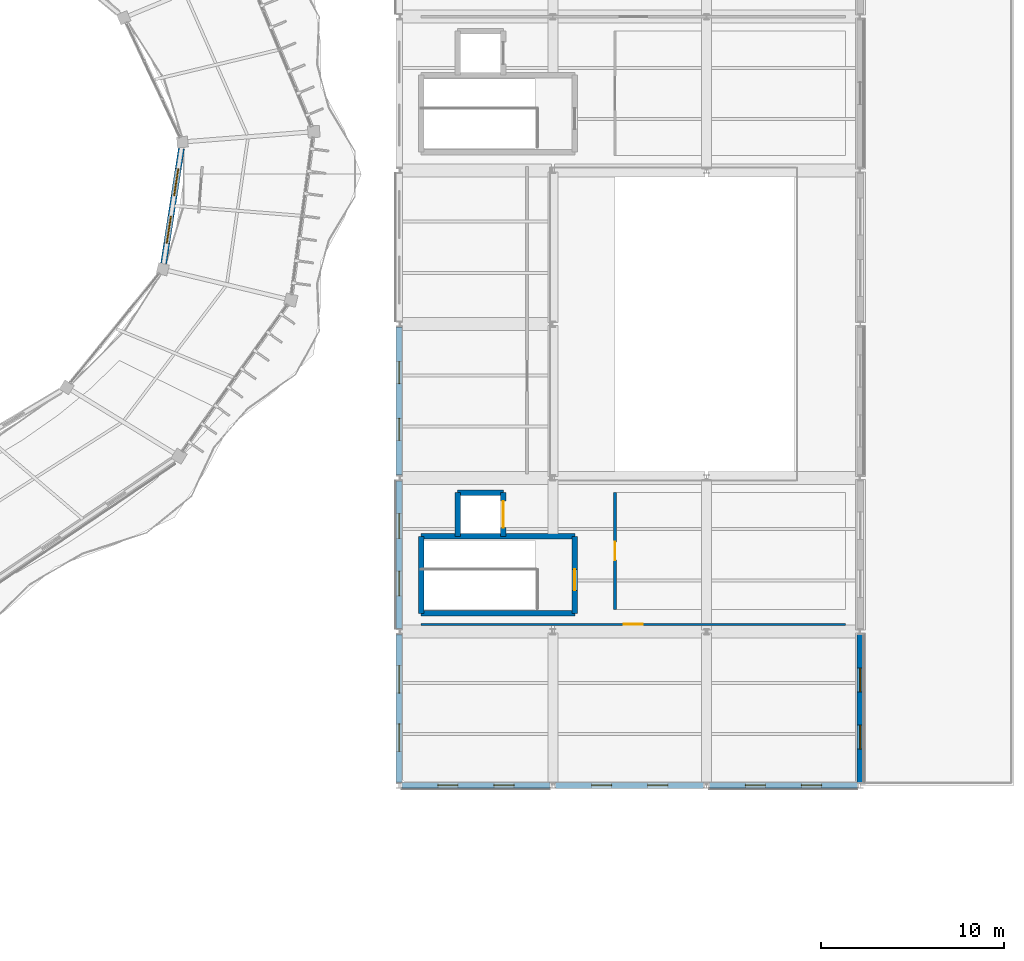
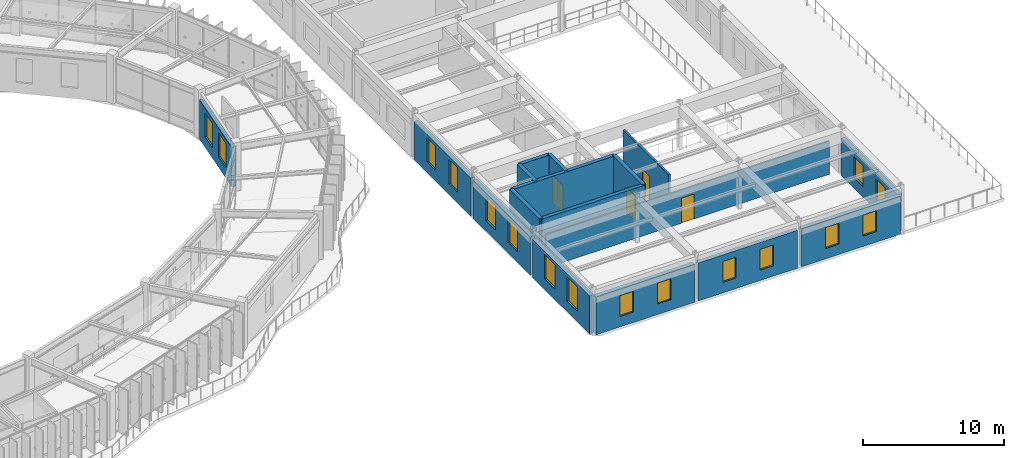
# One storey, part 95 of 114: 17 walls, 16 windows, 4 doors, 20 openings.
"""IFC4 building model written with IfcOpenShell, lengths in metres."""

from ifc_helpers import new_model, si_unit, direction, frame, frame_2d, origin, place, context, subcontext, project, spatial, rectangle, extrude, material, layer, layer_set, type_object, element, fill, save


model = new_model("IFC4")

# Units and contexts
model_context = context("Model", 3, precision=1e-05, world=origin(), true_north=direction((0.0, 1.0)))
body_context = subcontext(model_context, "Body", "Model", "MODEL_VIEW")
ifc_project = project(units=[si_unit("LENGTHUNIT", "METRE"), si_unit("AREAUNIT", "SQUARE_METRE"), si_unit("VOLUMEUNIT", "CUBIC_METRE"), si_unit("PLANEANGLEUNIT", "RADIAN"), si_unit("MASSUNIT", "GRAM", prefix="KILO"), si_unit("THERMODYNAMICTEMPERATUREUNIT", "KELVIN"), si_unit("POWERUNIT", "WATT")], contexts=[model_context])

# Site, building, storey
site_placement = place(None, origin())
site = spatial("IfcSite", under=ifc_project, at=site_placement, CompositionType="ELEMENT")
building_placement = place(site_placement, origin())
building = spatial("IfcBuilding", under=site, at=building_placement, Name="Darbajah Civic Hall", CompositionType="ELEMENT")
storey_placement = place(building_placement, frame((0.0, 0.0, 13.800048828125)))
storey = spatial("IfcBuildingStorey", under=building, at=storey_placement, Name="L03", CompositionType="ELEMENT", Elevation=13.800048828125)

# Wall
ifc_material_1 = material(Name="Concrete C45/55", Category="concrete")
ifc_layer_1 = layer(ifc_material_1, 0.300048828125, Name="Concrete C45/55")
ifc_layer_set_1 = layer_set([ifc_layer_1], Name="Concrete C45/55")
wall_type_1 = type_object("IfcWallType", Name="Core Shear Wall 300mm", PredefinedType="SHEAR", material=ifc_layer_set_1)
wall_1_placement = place(storey_placement, frame((145.800048828125, 65.800048828125, 0.0), z_axis=(0.0, 0.0, 1.0), x_axis=(1.0, 0.0, 0.0)))
element("IfcWall", 1, at=wall_1_placement, inside=storey, type_object=wall_type_1, Name="L03 core C09 shear wall S", PredefinedType="SHEAR", context=body_context, shape_type="SweptSolid", body=[
    extrude(rectangle(XDim=8.39990234375, YDim=0.300048828125, at=frame_2d((4.199951171875, 0.0))), origin(), (0.0, 0.0, 1.0), 3.919921875),
])

# Wall, opening, door
wall_2_placement = place(storey_placement, frame((154.199951171875, 65.800048828125, 0.0), z_axis=(0.0, 0.0, 1.0), x_axis=(0.0, 1.0, 0.0)))
wall_2 = element("IfcWall", 2, at=wall_2_placement, inside=storey, type_object=wall_type_1, Name="L03 core C09 shear wall E", PredefinedType="SHEAR", context=body_context, shape_type="SweptSolid", body=[
    extrude(rectangle(XDim=4.199951171875, YDim=0.300048828125, at=frame_2d((2.10009765625, 0.0))), origin(), (0.0, 0.0, 1.0), 3.919921875),
])
opening_1_placement = place(wall_2_placement, frame((1.25, 0.0, 0.0)))
opening_1 = element("IfcOpeningElement", 3, at=opening_1_placement, cuts=wall_2, Name="Opening SD-0102", PredefinedType="OPENING", context=body_context, shape_type="SweptSolid", body=[
    extrude(rectangle(XDim=1.14990234375, YDim=2.199951171875, at=frame_2d((0.574951171875, 1.10009765625))), frame((0.0, 0.159912109375, 0.0), z_axis=(0.0, -1.0, 0.0), x_axis=(1.0, 0.0, 0.0)), (0.0, 0.0, 1.0), 0.320068359375),
])
ifc_material_2 = material(Name="Steel Rated Core Door", Category="steel")
door_type_1 = type_object("IfcDoorType", Name="Interior Door 1150x2200", OperationType="NOTDEFINED", PredefinedType="DOOR", material=ifc_material_2)
door_1_placement = place(opening_1_placement, origin())
door_1 = element("IfcDoor", 4, at=door_1_placement, inside=storey, type_object=door_type_1, Name="L03 stair ST09 fire door SD-0102", OperationType="SINGLE_SWING_LEFT", OverallHeight=2.199951171875, OverallWidth=1.14990234375, PredefinedType="DOOR", context=body_context, shape_type="SweptSolid", body=[
    extrude(rectangle(XDim=1.14990234375, YDim=2.199951171875, at=frame_2d((0.574951171875, 1.10009765625))), frame((0.0, 0.02490234375, 0.0), z_axis=(0.0, -1.0, 0.0), x_axis=(1.0, 0.0, 0.0)), (0.0, 0.0, 1.0), 0.050048828125),
])
fill(opening_1, door_1)

# Walls
wall_3_placement = place(storey_placement, frame((154.199951171875, 70.0, 0.0), z_axis=(0.0, 0.0, 1.0), x_axis=(-1.0, 0.0, 0.0)))
element("IfcWall", 5, at=wall_3_placement, inside=storey, type_object=wall_type_1, Name="L03 core C09 shear wall N", PredefinedType="SHEAR", context=body_context, shape_type="SweptSolid", body=[
    extrude(rectangle(XDim=8.39990234375, YDim=0.300048828125, at=frame_2d((4.199951171875, 0.0))), origin(), (0.0, 0.0, 1.0), 3.919921875),
])
wall_4_placement = place(storey_placement, frame((145.800048828125, 70.0, 0.0), z_axis=(0.0, 0.0, 1.0), x_axis=(0.0, -1.0, 0.0)))
element("IfcWall", 6, at=wall_4_placement, inside=storey, type_object=wall_type_1, Name="L03 core C09 shear wall W", PredefinedType="SHEAR", context=body_context, shape_type="SweptSolid", body=[
    extrude(rectangle(XDim=4.199951171875, YDim=0.300048828125, at=frame_2d((2.10009765625, 0.0))), origin(), (0.0, 0.0, 1.0), 3.919921875),
])
wall_5_placement = place(storey_placement, frame((150.300048828125, 72.39990234375, 0.0), z_axis=(0.0, 0.0, 1.0), x_axis=(-1.0, 0.0, 0.0)))
element("IfcWall", 7, at=wall_5_placement, inside=storey, type_object=wall_type_1, Name="L03 lift BL1 shaft wall N", PredefinedType="SHEAR", context=body_context, shape_type="SweptSolid", body=[
    extrude(rectangle(XDim=2.5, YDim=0.300048828125, at=frame_2d((1.25, 0.0))), origin(), (0.0, 0.0, 1.0), 3.919921875),
])
wall_6_placement = place(storey_placement, frame((147.800048828125, 72.39990234375, 0.0), z_axis=(0.0, 0.0, 1.0), x_axis=(0.0, -1.0, 0.0)))
element("IfcWall", 8, at=wall_6_placement, inside=storey, type_object=wall_type_1, Name="L03 lift BL1 shaft wall W", PredefinedType="SHEAR", context=body_context, shape_type="SweptSolid", body=[
    extrude(rectangle(XDim=2.39990234375, YDim=0.300048828125, at=frame_2d((1.199951171875, 0.0))), origin(), (0.0, 0.0, 1.0), 3.919921875),
])

# Wall, opening, door
wall_7_placement = place(storey_placement, frame((150.300048828125, 70.0, 0.0), z_axis=(0.0, 0.0, 1.0), x_axis=(0.0, 1.0, 0.0)))
wall_7 = element("IfcWall", 9, at=wall_7_placement, inside=storey, type_object=wall_type_1, Name="L03 lift BL1 shaft wall E", PredefinedType="SHEAR", context=body_context, shape_type="SweptSolid", body=[
    extrude(rectangle(XDim=2.39990234375, YDim=0.300048828125, at=frame_2d((1.199951171875, 0.0))), origin(), (0.0, 0.0, 1.0), 3.919921875),
])
opening_2_placement = place(wall_7_placement, frame((0.47509765625, 0.0, 0.0)))
opening_2 = element("IfcOpeningElement", 10, at=opening_2_placement, cuts=wall_7, Name="Opening LD-0107", PredefinedType="OPENING", context=body_context, shape_type="SweptSolid", body=[
    extrude(rectangle(XDim=1.449951171875, YDim=2.35009765625, at=frame_2d((0.72509765625, 1.175048828125))), frame((0.0, 0.159912109375, 0.0), z_axis=(0.0, -1.0, 0.0), x_axis=(1.0, 0.0, 0.0)), (0.0, 0.0, 1.0), 0.320068359375),
])
ifc_material_3 = material(Name="Goods Lift Landing Door")
door_type_2 = type_object("IfcDoorType", Name="Lift Landing Door 1450x2350", OperationType="SLIDING_TO_LEFT", PredefinedType="DOOR", material=ifc_material_3)
door_2_placement = place(opening_2_placement, origin())
door_2 = element("IfcDoor", 11, at=door_2_placement, inside=storey, type_object=door_type_2, Name="L03 lift BL1 landing door LD-0107", OperationType="SLIDING_TO_LEFT", OverallHeight=2.35009765625, OverallWidth=1.449951171875, PredefinedType="DOOR", context=body_context, shape_type="SweptSolid", body=[
    extrude(rectangle(XDim=1.449951171875, YDim=2.35009765625, at=frame_2d((0.72509765625, 1.175048828125))), frame((0.0, 0.02490234375, 0.0), z_axis=(0.0, -1.0, 0.0), x_axis=(1.0, 0.0, 0.0)), (0.0, 0.0, 1.0), 0.050048828125),
])
fill(opening_2, door_2)

# Wall, openings, windows
ifc_material_4 = material(Name="Qatari Desert Limestone Ashlar", Category="masonry")
ifc_layer_2 = layer(ifc_material_4, 0.340087890625, Name="Qatari Desert Limestone Ashlar")
ifc_layer_set_2 = layer_set([ifc_layer_2], Name="Qatari Desert Limestone Ashlar")
wall_type_2 = type_object("IfcWallType", Name="Exterior Wall 340mm", PredefinedType="SOLIDWALL", material=ifc_layer_set_2)
wall_8_placement = place(storey_placement, frame((131.739501953125, 84.916015625, 0.0), z_axis=(0.0, 0.0, 1.0), x_axis=(0.152802593233, 0.988256731574, 0.0)))
wall_8 = element("IfcWall", 12, at=wall_8_placement, inside=storey, type_object=wall_type_2, Name="L03 exterior wall EW-340", PredefinedType="SOLIDWALL", context=body_context, shape_type="SweptSolid", body=[
    extrude(rectangle(XDim=6.349365234375, YDim=0.340087890625, at=frame_2d((3.1748046875, 0.0))), origin(), (0.0, 0.0, 1.0), 3.386962890625),
])
opening_3_placement = place(wall_8_placement, frame((1.116455078125, 0.0, 0.89990234375)))
opening_3 = element("IfcOpeningElement", 13, at=opening_3_placement, cuts=wall_8, Name="Opening WN-03", PredefinedType="OPENING", context=body_context, shape_type="SweptSolid", body=[
    extrude(rectangle(XDim=1.5, YDim=2.10009765625, at=frame_2d((0.75, 1.050048828125))), frame((0.0, 0.179931640625, 0.0), z_axis=(0.0, -1.0, 0.0), x_axis=(1.0, 0.0, 0.0)), (0.0, 0.0, 1.0), 0.360107421875),
])
opening_4_placement = place(wall_8_placement, frame((3.73291015625, 0.0, 0.89990234375)))
opening_4 = element("IfcOpeningElement", 14, at=opening_4_placement, cuts=wall_8, Name="Opening WN-03", PredefinedType="OPENING", context=body_context, shape_type="SweptSolid", body=[
    extrude(rectangle(XDim=1.5, YDim=2.10009765625, at=frame_2d((0.75, 1.050048828125))), frame((0.0, 0.179931640625, 0.0), z_axis=(0.0, -1.0, 0.0), x_axis=(1.0, 0.0, 0.0)), (0.0, 0.0, 1.0), 0.360107421875),
])
ifc_material_5 = material(Name="Low-E Solar Control Double Glazing", Category="glass")
window_type_1 = type_object("IfcWindowType", Name="Facade Window 1500x2100", PartitioningType="SINGLE_PANEL", PredefinedType="WINDOW", material=ifc_material_5)
window_1_placement = place(opening_3_placement, origin())
window_1 = element("IfcWindow", 15, at=window_1_placement, inside=storey, type_object=window_type_1, Name="L03 facade window WN-03", OverallHeight=2.10009765625, OverallWidth=1.5, PartitioningType="SINGLE_PANEL", PredefinedType="WINDOW", context=body_context, shape_type="SweptSolid", body=[
    extrude(rectangle(XDim=1.5, YDim=2.10009765625, at=frame_2d((0.75, 1.050048828125))), frame((0.0, 0.030029296875, 0.0), z_axis=(0.0, -1.0, 0.0), x_axis=(1.0, 0.0, 0.0)), (0.0, 0.0, 1.0), 0.06005859375),
])
fill(opening_3, window_1)
window_2_placement = place(opening_4_placement, origin())
window_2 = element("IfcWindow", 16, at=window_2_placement, inside=storey, type_object=window_type_1, Name="L03 facade window WN-03", OverallHeight=2.10009765625, OverallWidth=1.5, PartitioningType="SINGLE_PANEL", PredefinedType="WINDOW", context=body_context, shape_type="SweptSolid", body=[
    extrude(rectangle(XDim=1.5, YDim=2.10009765625, at=frame_2d((0.75, 1.050048828125))), frame((0.0, 0.030029296875, 0.0), z_axis=(0.0, -1.0, 0.0), x_axis=(1.0, 0.0, 0.0)), (0.0, 0.0, 1.0), 0.06005859375),
])
fill(opening_4, window_2)

wall_9_placement = place(storey_placement, frame((144.756591796875, 56.39990234375, 0.0), z_axis=(0.0, 0.0, 1.0), x_axis=(1.0, 0.0, 0.0)))
wall_9 = element("IfcWall", 17, at=wall_9_placement, inside=storey, type_object=wall_type_2, Name="L03 exterior wall EW-340", PredefinedType="SOLIDWALL", context=body_context, shape_type="SweptSolid", body=[
    extrude(rectangle(XDim=8.0869140625, YDim=0.340087890625, at=frame_2d((4.04345703125, 0.0))), origin(), (0.0, 0.0, 1.0), 3.280029296875),
])
opening_5_placement = place(wall_9_placement, frame((1.96240234375, 0.0, 0.89990234375)))
opening_5 = element("IfcOpeningElement", 18, at=opening_5_placement, cuts=wall_9, Name="Opening WN-17", PredefinedType="OPENING", context=body_context, shape_type="SweptSolid", body=[
    extrude(rectangle(XDim=1.10009765625, YDim=1.800048828125, at=frame_2d((0.550048828125, 0.89990234375))), frame((0.0, 0.179931640625, 0.0), z_axis=(0.0, -1.0, 0.0), x_axis=(1.0, 0.0, 0.0)), (0.0, 0.0, 1.0), 0.360107421875),
])
opening_6_placement = place(wall_9_placement, frame((5.0244140625, 0.0, 0.89990234375)))
opening_6 = element("IfcOpeningElement", 19, at=opening_6_placement, cuts=wall_9, Name="Opening WN-17", PredefinedType="OPENING", context=body_context, shape_type="SweptSolid", body=[
    extrude(rectangle(XDim=1.10009765625, YDim=1.800048828125, at=frame_2d((0.550048828125, 0.89990234375))), frame((0.0, 0.179931640625, 0.0), z_axis=(0.0, -1.0, 0.0), x_axis=(1.0, 0.0, 0.0)), (0.0, 0.0, 1.0), 0.360107421875),
])
window_type_2 = type_object("IfcWindowType", Name="Facade Window 1100x1800", PartitioningType="SINGLE_PANEL", PredefinedType="WINDOW", material=ifc_material_5)
window_3_placement = place(opening_5_placement, origin())
window_3 = element("IfcWindow", 20, at=window_3_placement, inside=storey, type_object=window_type_2, Name="L03 facade window WN-17", OverallHeight=1.800048828125, OverallWidth=1.10009765625, PartitioningType="SINGLE_PANEL", PredefinedType="WINDOW", context=body_context, shape_type="SweptSolid", body=[
    extrude(rectangle(XDim=1.10009765625, YDim=1.800048828125, at=frame_2d((0.550048828125, 0.89990234375))), frame((0.0, 0.030029296875, 0.0), z_axis=(0.0, -1.0, 0.0), x_axis=(1.0, 0.0, 0.0)), (0.0, 0.0, 1.0), 0.06005859375),
])
fill(opening_5, window_3)
window_4_placement = place(opening_6_placement, origin())
window_4 = element("IfcWindow", 21, at=window_4_placement, inside=storey, type_object=window_type_2, Name="L03 facade window WN-17", OverallHeight=1.800048828125, OverallWidth=1.10009765625, PartitioningType="SINGLE_PANEL", PredefinedType="WINDOW", context=body_context, shape_type="SweptSolid", body=[
    extrude(rectangle(XDim=1.10009765625, YDim=1.800048828125, at=frame_2d((0.550048828125, 0.89990234375))), frame((0.0, 0.030029296875, 0.0), z_axis=(0.0, -1.0, 0.0), x_axis=(1.0, 0.0, 0.0)), (0.0, 0.0, 1.0), 0.06005859375),
])
fill(opening_6, window_4)

wall_10_placement = place(storey_placement, frame((153.156494140625, 56.39990234375, 0.0), z_axis=(0.0, 0.0, 1.0), x_axis=(1.0, 0.0, 0.0)))
wall_10 = element("IfcWall", 22, at=wall_10_placement, inside=storey, type_object=wall_type_2, Name="L03 exterior wall EW-340", PredefinedType="SOLIDWALL", context=body_context, shape_type="SweptSolid", body=[
    extrude(rectangle(XDim=8.0869140625, YDim=0.340087890625, at=frame_2d((4.04345703125, 0.0))), origin(), (0.0, 0.0, 1.0), 3.280029296875),
])
opening_7_placement = place(wall_10_placement, frame((1.96240234375, 0.0, 0.89990234375)))
opening_7 = element("IfcOpeningElement", 23, at=opening_7_placement, cuts=wall_10, Name="Opening WN-17", PredefinedType="OPENING", context=body_context, shape_type="SweptSolid", body=[
    extrude(rectangle(XDim=1.10009765625, YDim=1.800048828125, at=frame_2d((0.550048828125, 0.89990234375))), frame((0.0, 0.179931640625, 0.0), z_axis=(0.0, -1.0, 0.0), x_axis=(1.0, 0.0, 0.0)), (0.0, 0.0, 1.0), 0.360107421875),
])
opening_8_placement = place(wall_10_placement, frame((5.0244140625, 0.0, 0.89990234375)))
opening_8 = element("IfcOpeningElement", 24, at=opening_8_placement, cuts=wall_10, Name="Opening WN-17", PredefinedType="OPENING", context=body_context, shape_type="SweptSolid", body=[
    extrude(rectangle(XDim=1.10009765625, YDim=1.800048828125, at=frame_2d((0.550048828125, 0.89990234375))), frame((0.0, 0.179931640625, 0.0), z_axis=(0.0, -1.0, 0.0), x_axis=(1.0, 0.0, 0.0)), (0.0, 0.0, 1.0), 0.360107421875),
])
window_5_placement = place(opening_7_placement, origin())
window_5 = element("IfcWindow", 25, at=window_5_placement, inside=storey, type_object=window_type_2, Name="L03 facade window WN-17", OverallHeight=1.800048828125, OverallWidth=1.10009765625, PartitioningType="SINGLE_PANEL", PredefinedType="WINDOW", context=body_context, shape_type="SweptSolid", body=[
    extrude(rectangle(XDim=1.10009765625, YDim=1.800048828125, at=frame_2d((0.550048828125, 0.89990234375))), frame((0.0, 0.030029296875, 0.0), z_axis=(0.0, -1.0, 0.0), x_axis=(1.0, 0.0, 0.0)), (0.0, 0.0, 1.0), 0.06005859375),
])
fill(opening_7, window_5)
window_6_placement = place(opening_8_placement, origin())
window_6 = element("IfcWindow", 26, at=window_6_placement, inside=storey, type_object=window_type_2, Name="L03 facade window WN-17", OverallHeight=1.800048828125, OverallWidth=1.10009765625, PartitioningType="SINGLE_PANEL", PredefinedType="WINDOW", context=body_context, shape_type="SweptSolid", body=[
    extrude(rectangle(XDim=1.10009765625, YDim=1.800048828125, at=frame_2d((0.550048828125, 0.89990234375))), frame((0.0, 0.030029296875, 0.0), z_axis=(0.0, -1.0, 0.0), x_axis=(1.0, 0.0, 0.0)), (0.0, 0.0, 1.0), 0.06005859375),
])
fill(opening_8, window_6)

wall_11_placement = place(storey_placement, frame((161.556640625, 56.39990234375, 0.0), z_axis=(0.0, 0.0, 1.0), x_axis=(1.0, 0.0, 0.0)))
wall_11 = element("IfcWall", 27, at=wall_11_placement, inside=storey, type_object=wall_type_2, Name="L03 exterior wall EW-340", PredefinedType="SOLIDWALL", context=body_context, shape_type="SweptSolid", body=[
    extrude(rectangle(XDim=8.086669921875, YDim=0.340087890625, at=frame_2d((4.04345703125, 0.0))), origin(), (0.0, 0.0, 1.0), 3.280029296875),
])
opening_9_placement = place(wall_11_placement, frame((1.96240234375, 0.0, 0.89990234375)))
opening_9 = element("IfcOpeningElement", 28, at=opening_9_placement, cuts=wall_11, Name="Opening WN-17", PredefinedType="OPENING", context=body_context, shape_type="SweptSolid", body=[
    extrude(rectangle(XDim=1.10009765625, YDim=1.800048828125, at=frame_2d((0.550048828125, 0.89990234375))), frame((0.0, 0.179931640625, 0.0), z_axis=(0.0, -1.0, 0.0), x_axis=(1.0, 0.0, 0.0)), (0.0, 0.0, 1.0), 0.360107421875),
])
opening_10_placement = place(wall_11_placement, frame((5.0244140625, 0.0, 0.89990234375)))
opening_10 = element("IfcOpeningElement", 29, at=opening_10_placement, cuts=wall_11, Name="Opening WN-17", PredefinedType="OPENING", context=body_context, shape_type="SweptSolid", body=[
    extrude(rectangle(XDim=1.10009765625, YDim=1.800048828125, at=frame_2d((0.550048828125, 0.89990234375))), frame((0.0, 0.179931640625, 0.0), z_axis=(0.0, -1.0, 0.0), x_axis=(1.0, 0.0, 0.0)), (0.0, 0.0, 1.0), 0.360107421875),
])
window_7_placement = place(opening_9_placement, origin())
window_7 = element("IfcWindow", 30, at=window_7_placement, inside=storey, type_object=window_type_2, Name="L03 facade window WN-17", OverallHeight=1.800048828125, OverallWidth=1.10009765625, PartitioningType="SINGLE_PANEL", PredefinedType="WINDOW", context=body_context, shape_type="SweptSolid", body=[
    extrude(rectangle(XDim=1.10009765625, YDim=1.800048828125, at=frame_2d((0.550048828125, 0.89990234375))), frame((0.0, 0.030029296875, 0.0), z_axis=(0.0, -1.0, 0.0), x_axis=(1.0, 0.0, 0.0)), (0.0, 0.0, 1.0), 0.06005859375),
])
fill(opening_9, window_7)
window_8_placement = place(opening_10_placement, origin())
window_8 = element("IfcWindow", 31, at=window_8_placement, inside=storey, type_object=window_type_2, Name="L03 facade window WN-17", OverallHeight=1.800048828125, OverallWidth=1.10009765625, PartitioningType="SINGLE_PANEL", PredefinedType="WINDOW", context=body_context, shape_type="SweptSolid", body=[
    extrude(rectangle(XDim=1.10009765625, YDim=1.800048828125, at=frame_2d((0.550048828125, 0.89990234375))), frame((0.0, 0.030029296875, 0.0), z_axis=(0.0, -1.0, 0.0), x_axis=(1.0, 0.0, 0.0)), (0.0, 0.0, 1.0), 0.06005859375),
])
fill(opening_10, window_8)

wall_12_placement = place(storey_placement, frame((169.800048828125, 56.562255859375, 0.0), z_axis=(0.0, 0.0, 1.0), x_axis=(0.0, 1.0, 0.0)))
wall_12 = element("IfcWall", 32, at=wall_12_placement, inside=storey, type_object=wall_type_2, Name="L03 exterior wall EW-340", PredefinedType="SOLIDWALL", context=body_context, shape_type="SweptSolid", body=[
    extrude(rectangle(XDim=8.075439453125, YDim=0.340087890625, at=frame_2d((4.03759765625, 0.0))), origin(), (0.0, 0.0, 1.0), 3.179931640625),
])
opening_11_placement = place(wall_12_placement, frame((1.8251953125, 0.0, 0.89990234375)))
opening_11 = element("IfcOpeningElement", 33, at=opening_11_placement, cuts=wall_12, Name="Opening WN-18", PredefinedType="OPENING", context=body_context, shape_type="SweptSolid", body=[
    extrude(rectangle(XDim=1.300048828125, YDim=1.800048828125, at=frame_2d((0.64990234375, 0.89990234375))), frame((0.0, 0.179931640625, 0.0), z_axis=(0.0, -1.0, 0.0), x_axis=(1.0, 0.0, 0.0)), (0.0, 0.0, 1.0), 0.360107421875),
])
opening_12_placement = place(wall_12_placement, frame((4.9501953125, 0.0, 0.89990234375)))
opening_12 = element("IfcOpeningElement", 34, at=opening_12_placement, cuts=wall_12, Name="Opening WN-18", PredefinedType="OPENING", context=body_context, shape_type="SweptSolid", body=[
    extrude(rectangle(XDim=1.300048828125, YDim=1.800048828125, at=frame_2d((0.64990234375, 0.89990234375))), frame((0.0, 0.179931640625, 0.0), z_axis=(0.0, -1.0, 0.0), x_axis=(1.0, 0.0, 0.0)), (0.0, 0.0, 1.0), 0.360107421875),
])
window_type_3 = type_object("IfcWindowType", Name="Facade Window 1300x1800", PartitioningType="SINGLE_PANEL", PredefinedType="WINDOW", material=ifc_material_5)
window_9_placement = place(opening_11_placement, origin())
window_9 = element("IfcWindow", 35, at=window_9_placement, inside=storey, type_object=window_type_3, Name="L03 facade window WN-18", OverallHeight=1.800048828125, OverallWidth=1.300048828125, PartitioningType="SINGLE_PANEL", PredefinedType="WINDOW", context=body_context, shape_type="SweptSolid", body=[
    extrude(rectangle(XDim=1.300048828125, YDim=1.800048828125, at=frame_2d((0.64990234375, 0.89990234375))), frame((0.0, 0.030029296875, 0.0), z_axis=(0.0, -1.0, 0.0), x_axis=(1.0, 0.0, 0.0)), (0.0, 0.0, 1.0), 0.06005859375),
])
fill(opening_11, window_9)
window_10_placement = place(opening_12_placement, origin())
window_10 = element("IfcWindow", 36, at=window_10_placement, inside=storey, type_object=window_type_3, Name="L03 facade window WN-18", OverallHeight=1.800048828125, OverallWidth=1.300048828125, PartitioningType="SINGLE_PANEL", PredefinedType="WINDOW", context=body_context, shape_type="SweptSolid", body=[
    extrude(rectangle(XDim=1.300048828125, YDim=1.800048828125, at=frame_2d((0.64990234375, 0.89990234375))), frame((0.0, 0.030029296875, 0.0), z_axis=(0.0, -1.0, 0.0), x_axis=(1.0, 0.0, 0.0)), (0.0, 0.0, 1.0), 0.06005859375),
])
fill(opening_12, window_10)

wall_13_placement = place(storey_placement, frame((144.60009765625, 81.437744140625, 0.0), z_axis=(0.0, 0.0, 1.0), x_axis=(0.0, -1.0, 0.0)))
wall_13 = element("IfcWall", 37, at=wall_13_placement, inside=storey, type_object=wall_type_2, Name="L03 exterior wall EW-340", PredefinedType="SOLIDWALL", context=body_context, shape_type="SweptSolid", body=[
    extrude(rectangle(XDim=8.075439453125, YDim=0.340087890625, at=frame_2d((4.03759765625, 0.0))), origin(), (0.0, 0.0, 1.0), 3.280029296875),
])
opening_13_placement = place(wall_13_placement, frame((1.891845703125, 0.0, 0.89990234375)))
opening_13 = element("IfcOpeningElement", 38, at=opening_13_placement, cuts=wall_13, Name="Opening WN-01", PredefinedType="OPENING", context=body_context, shape_type="SweptSolid", body=[
    extrude(rectangle(XDim=1.199951171875, YDim=2.10009765625, at=frame_2d((0.60009765625, 1.050048828125))), frame((0.0, 0.179931640625, 0.0), z_axis=(0.0, -1.0, 0.0), x_axis=(1.0, 0.0, 0.0)), (0.0, 0.0, 1.0), 0.360107421875),
])
opening_14_placement = place(wall_13_placement, frame((4.983642578125, 0.0, 0.89990234375)))
opening_14 = element("IfcOpeningElement", 39, at=opening_14_placement, cuts=wall_13, Name="Opening WN-01", PredefinedType="OPENING", context=body_context, shape_type="SweptSolid", body=[
    extrude(rectangle(XDim=1.199951171875, YDim=2.10009765625, at=frame_2d((0.60009765625, 1.050048828125))), frame((0.0, 0.179931640625, 0.0), z_axis=(0.0, -1.0, 0.0), x_axis=(1.0, 0.0, 0.0)), (0.0, 0.0, 1.0), 0.360107421875),
])
window_type_4 = type_object("IfcWindowType", Name="Facade Window 1200x2100", PartitioningType="SINGLE_PANEL", PredefinedType="WINDOW", material=ifc_material_5)
window_11_placement = place(opening_13_placement, origin())
window_11 = element("IfcWindow", 40, at=window_11_placement, inside=storey, type_object=window_type_4, Name="L03 facade window WN-01", OverallHeight=2.10009765625, OverallWidth=1.199951171875, PartitioningType="SINGLE_PANEL", PredefinedType="WINDOW", context=body_context, shape_type="SweptSolid", body=[
    extrude(rectangle(XDim=1.199951171875, YDim=2.10009765625, at=frame_2d((0.60009765625, 1.050048828125))), frame((0.0, 0.030029296875, 0.0), z_axis=(0.0, -1.0, 0.0), x_axis=(1.0, 0.0, 0.0)), (0.0, 0.0, 1.0), 0.06005859375),
])
fill(opening_13, window_11)
window_12_placement = place(opening_14_placement, origin())
window_12 = element("IfcWindow", 41, at=window_12_placement, inside=storey, type_object=window_type_4, Name="L03 facade window WN-01", OverallHeight=2.10009765625, OverallWidth=1.199951171875, PartitioningType="SINGLE_PANEL", PredefinedType="WINDOW", context=body_context, shape_type="SweptSolid", body=[
    extrude(rectangle(XDim=1.199951171875, YDim=2.10009765625, at=frame_2d((0.60009765625, 1.050048828125))), frame((0.0, 0.030029296875, 0.0), z_axis=(0.0, -1.0, 0.0), x_axis=(1.0, 0.0, 0.0)), (0.0, 0.0, 1.0), 0.06005859375),
])
fill(opening_14, window_12)

wall_14_placement = place(storey_placement, frame((144.60009765625, 73.03759765625, 0.0), z_axis=(0.0, 0.0, 1.0), x_axis=(0.0, -1.0, 0.0)))
wall_14 = element("IfcWall", 42, at=wall_14_placement, inside=storey, type_object=wall_type_2, Name="L03 exterior wall EW-340", PredefinedType="SOLIDWALL", context=body_context, shape_type="SweptSolid", body=[
    extrude(rectangle(XDim=8.0751953125, YDim=0.340087890625, at=frame_2d((4.03759765625, 0.0))), origin(), (0.0, 0.0, 1.0), 3.280029296875),
])
opening_15_placement = place(wall_14_placement, frame((1.791748046875, 0.0, 0.89990234375)))
opening_15 = element("IfcOpeningElement", 43, at=opening_15_placement, cuts=wall_14, Name="Opening WN-02", PredefinedType="OPENING", context=body_context, shape_type="SweptSolid", body=[
    extrude(rectangle(XDim=1.35009765625, YDim=2.10009765625, at=frame_2d((0.675048828125, 1.050048828125))), frame((0.0, 0.179931640625, 0.0), z_axis=(0.0, -1.0, 0.0), x_axis=(1.0, 0.0, 0.0)), (0.0, 0.0, 1.0), 0.360107421875),
])
opening_16_placement = place(wall_14_placement, frame((4.93359375, 0.0, 0.89990234375)))
opening_16 = element("IfcOpeningElement", 44, at=opening_16_placement, cuts=wall_14, Name="Opening WN-02", PredefinedType="OPENING", context=body_context, shape_type="SweptSolid", body=[
    extrude(rectangle(XDim=1.35009765625, YDim=2.10009765625, at=frame_2d((0.675048828125, 1.050048828125))), frame((0.0, 0.179931640625, 0.0), z_axis=(0.0, -1.0, 0.0), x_axis=(1.0, 0.0, 0.0)), (0.0, 0.0, 1.0), 0.360107421875),
])
window_type_5 = type_object("IfcWindowType", Name="Facade Window 1350x2100", PartitioningType="SINGLE_PANEL", PredefinedType="WINDOW", material=ifc_material_5)
window_13_placement = place(opening_15_placement, origin())
window_13 = element("IfcWindow", 45, at=window_13_placement, inside=storey, type_object=window_type_5, Name="L03 facade window WN-02", OverallHeight=2.10009765625, OverallWidth=1.35009765625, PartitioningType="SINGLE_PANEL", PredefinedType="WINDOW", context=body_context, shape_type="SweptSolid", body=[
    extrude(rectangle(XDim=1.35009765625, YDim=2.10009765625, at=frame_2d((0.675048828125, 1.050048828125))), frame((0.0, 0.030029296875, 0.0), z_axis=(0.0, -1.0, 0.0), x_axis=(1.0, 0.0, 0.0)), (0.0, 0.0, 1.0), 0.06005859375),
])
fill(opening_15, window_13)
window_14_placement = place(opening_16_placement, origin())
window_14 = element("IfcWindow", 46, at=window_14_placement, inside=storey, type_object=window_type_5, Name="L03 facade window WN-02", OverallHeight=2.10009765625, OverallWidth=1.35009765625, PartitioningType="SINGLE_PANEL", PredefinedType="WINDOW", context=body_context, shape_type="SweptSolid", body=[
    extrude(rectangle(XDim=1.35009765625, YDim=2.10009765625, at=frame_2d((0.675048828125, 1.050048828125))), frame((0.0, 0.030029296875, 0.0), z_axis=(0.0, -1.0, 0.0), x_axis=(1.0, 0.0, 0.0)), (0.0, 0.0, 1.0), 0.06005859375),
])
fill(opening_16, window_14)

wall_15_placement = place(storey_placement, frame((144.60009765625, 64.6376953125, 0.0), z_axis=(0.0, 0.0, 1.0), x_axis=(0.0, -1.0, 0.0)))
wall_15 = element("IfcWall", 47, at=wall_15_placement, inside=storey, type_object=wall_type_2, Name="L03 exterior wall EW-340", PredefinedType="SOLIDWALL", context=body_context, shape_type="SweptSolid", body=[
    extrude(rectangle(XDim=8.075439453125, YDim=0.340087890625, at=frame_2d((4.03759765625, 0.0))), origin(), (0.0, 0.0, 1.0), 3.280029296875),
])
opening_17_placement = place(wall_15_placement, frame((1.69189453125, 0.0, 0.89990234375)))
opening_17 = element("IfcOpeningElement", 48, at=opening_17_placement, cuts=wall_15, Name="Opening WN-03", PredefinedType="OPENING", context=body_context, shape_type="SweptSolid", body=[
    extrude(rectangle(XDim=1.5, YDim=2.10009765625, at=frame_2d((0.75, 1.050048828125))), frame((0.0, 0.179931640625, 0.0), z_axis=(0.0, -1.0, 0.0), x_axis=(1.0, 0.0, 0.0)), (0.0, 0.0, 1.0), 0.360107421875),
])
opening_18_placement = place(wall_15_placement, frame((4.883544921875, 0.0, 0.89990234375)))
opening_18 = element("IfcOpeningElement", 49, at=opening_18_placement, cuts=wall_15, Name="Opening WN-03", PredefinedType="OPENING", context=body_context, shape_type="SweptSolid", body=[
    extrude(rectangle(XDim=1.5, YDim=2.10009765625, at=frame_2d((0.75, 1.050048828125))), frame((0.0, 0.179931640625, 0.0), z_axis=(0.0, -1.0, 0.0), x_axis=(1.0, 0.0, 0.0)), (0.0, 0.0, 1.0), 0.360107421875),
])
window_15_placement = place(opening_17_placement, origin())
window_15 = element("IfcWindow", 50, at=window_15_placement, inside=storey, type_object=window_type_1, Name="L03 facade window WN-03", OverallHeight=2.10009765625, OverallWidth=1.5, PartitioningType="SINGLE_PANEL", PredefinedType="WINDOW", context=body_context, shape_type="SweptSolid", body=[
    extrude(rectangle(XDim=1.5, YDim=2.10009765625, at=frame_2d((0.75, 1.050048828125))), frame((0.0, 0.030029296875, 0.0), z_axis=(0.0, -1.0, 0.0), x_axis=(1.0, 0.0, 0.0)), (0.0, 0.0, 1.0), 0.06005859375),
])
fill(opening_17, window_15)
window_16_placement = place(opening_18_placement, origin())
window_16 = element("IfcWindow", 51, at=window_16_placement, inside=storey, type_object=window_type_1, Name="L03 facade window WN-03", OverallHeight=2.10009765625, OverallWidth=1.5, PartitioningType="SINGLE_PANEL", PredefinedType="WINDOW", context=body_context, shape_type="SweptSolid", body=[
    extrude(rectangle(XDim=1.5, YDim=2.10009765625, at=frame_2d((0.75, 1.050048828125))), frame((0.0, 0.030029296875, 0.0), z_axis=(0.0, -1.0, 0.0), x_axis=(1.0, 0.0, 0.0)), (0.0, 0.0, 1.0), 0.06005859375),
])
fill(opening_18, window_16)

# Wall, opening, door
ifc_material_6 = material(Name="Acoustic Gypsum Partition")
ifc_layer_3 = layer(ifc_material_6, 0.114990234375, Name="Acoustic Gypsum Partition")
ifc_layer_set_3 = layer_set([ifc_layer_3], Name="Acoustic Gypsum Partition")
wall_type_3 = type_object("IfcWallType", Name="Interior Partition 115mm", PredefinedType="PARTITIONING", material=ifc_layer_set_3)
wall_16_placement = place(storey_placement, frame((145.800048828125, 65.199951171875, 0.0), z_axis=(0.0, 0.0, 1.0), x_axis=(1.0, 0.0, 0.0)))
wall_16 = element("IfcWall", 52, at=wall_16_placement, inside=storey, type_object=wall_type_3, Name="L03 interior partition L03-V4-01", PredefinedType="PARTITIONING", context=body_context, shape_type="SweptSolid", body=[
    extrude(rectangle(XDim=23.199951171875, YDim=0.114990234375, at=frame_2d((11.60009765625, 0.0))), origin(), (0.0, 0.0, 1.0), 2.8798828125),
])
opening_19_placement = place(wall_16_placement, frame((11.074951171875, 0.0, 0.0)))
opening_19 = element("IfcOpeningElement", 53, at=opening_19_placement, cuts=wall_16, Name="Opening D-0232", PredefinedType="OPENING", context=body_context, shape_type="SweptSolid", body=[
    extrude(rectangle(XDim=1.050048828125, YDim=2.14990234375, at=frame_2d((0.52490234375, 1.074951171875))), frame((0.0, 0.0673828125, 0.0), z_axis=(0.0, -1.0, 0.0), x_axis=(1.0, 0.0, 0.0)), (0.0, 0.0, 1.0), 0.135009765625),
])
ifc_material_7 = material(Name="Acoustic Oak Office Door")
door_type_3 = type_object("IfcDoorType", Name="Interior Door 1050x2150", OperationType="NOTDEFINED", PredefinedType="DOOR", material=ifc_material_7)
door_3_placement = place(opening_19_placement, origin())
door_3 = element("IfcDoor", 54, at=door_3_placement, inside=storey, type_object=door_type_3, Name="L03 L03-V4-01 door D-0232", OperationType="SINGLE_SWING_LEFT", OverallHeight=2.14990234375, OverallWidth=1.050048828125, PredefinedType="DOOR", context=body_context, shape_type="SweptSolid", body=[
    extrude(rectangle(XDim=1.050048828125, YDim=2.14990234375, at=frame_2d((0.52490234375, 1.074951171875))), frame((0.0, 0.02490234375, 0.0), z_axis=(0.0, -1.0, 0.0), x_axis=(1.0, 0.0, 0.0)), (0.0, 0.0, 1.0), 0.050048828125),
])
fill(opening_19, door_3)

ifc_material_8 = material(Name="Gypsum Plasterboard on Steel Stud", Category="steel")
ifc_layer_4 = layer(ifc_material_8, 0.159912109375, Name="Gypsum Plasterboard on Steel Stud")
ifc_layer_set_4 = layer_set([ifc_layer_4], Name="Gypsum Plasterboard on Steel Stud")
wall_type_4 = type_object("IfcWallType", Name="Interior Partition 160mm", PredefinedType="PARTITIONING", material=ifc_layer_set_4)
wall_17_placement = place(storey_placement, frame((156.39990234375, 66.0, 0.0), z_axis=(0.0, 0.0, 1.0), x_axis=(0.0, 1.0, 0.0)))
wall_17 = element("IfcWall", 55, at=wall_17_placement, inside=storey, type_object=wall_type_4, Name="L03 interior partition L03-V4-04", PredefinedType="PARTITIONING", context=body_context, shape_type="SweptSolid", body=[
    extrude(rectangle(XDim=6.39990234375, YDim=0.159912109375, at=frame_2d((3.199951171875, 0.0))), origin(), (0.0, 0.0, 1.0), 3.85986328125),
])
opening_20_placement = place(wall_17_placement, frame((2.699951171875, 0.0, 0.0)))
opening_20 = element("IfcOpeningElement", 56, at=opening_20_placement, cuts=wall_17, Name="Opening D-0233", PredefinedType="OPENING", context=body_context, shape_type="SweptSolid", body=[
    extrude(rectangle(XDim=1.0, YDim=2.10009765625, at=frame_2d((0.5, 1.050048828125))), frame((0.0, 0.08984375, 0.0), z_axis=(0.0, -1.0, 0.0), x_axis=(1.0, 0.0, 0.0)), (0.0, 0.0, 1.0), 0.179931640625),
])
ifc_material_9 = material(Name="Oak Suite Door")
door_type_4 = type_object("IfcDoorType", Name="Interior Door 1000x2100", OperationType="NOTDEFINED", PredefinedType="DOOR", material=ifc_material_9)
door_4_placement = place(opening_20_placement, origin())
door_4 = element("IfcDoor", 57, at=door_4_placement, inside=storey, type_object=door_type_4, Name="L03 L03-V4-04 door D-0233", OperationType="SINGLE_SWING_RIGHT", OverallHeight=2.10009765625, OverallWidth=1.0, PredefinedType="DOOR", context=body_context, shape_type="SweptSolid", body=[
    extrude(rectangle(XDim=1.0, YDim=2.10009765625, at=frame_2d((0.5, 1.050048828125))), frame((0.0, 0.02490234375, 0.0), z_axis=(0.0, -1.0, 0.0), x_axis=(1.0, 0.0, 0.0)), (0.0, 0.0, 1.0), 0.050048828125),
])
fill(opening_20, door_4)

save(model, "model.ifc")
